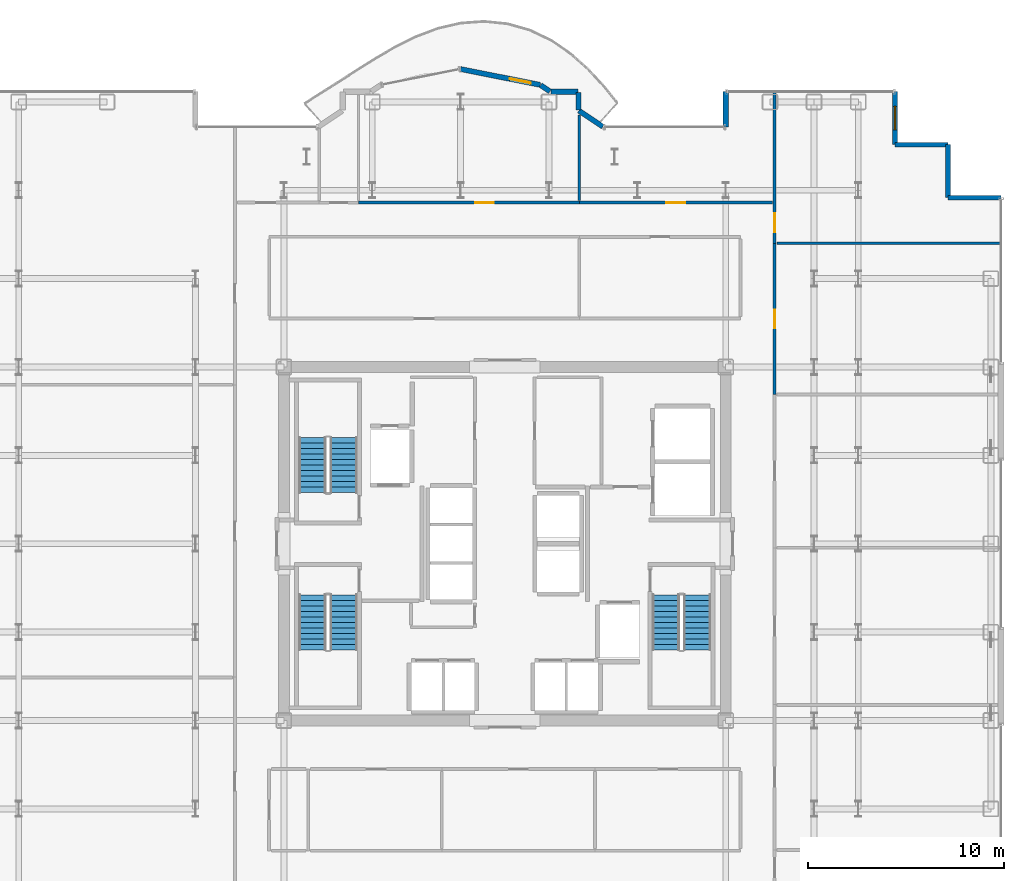
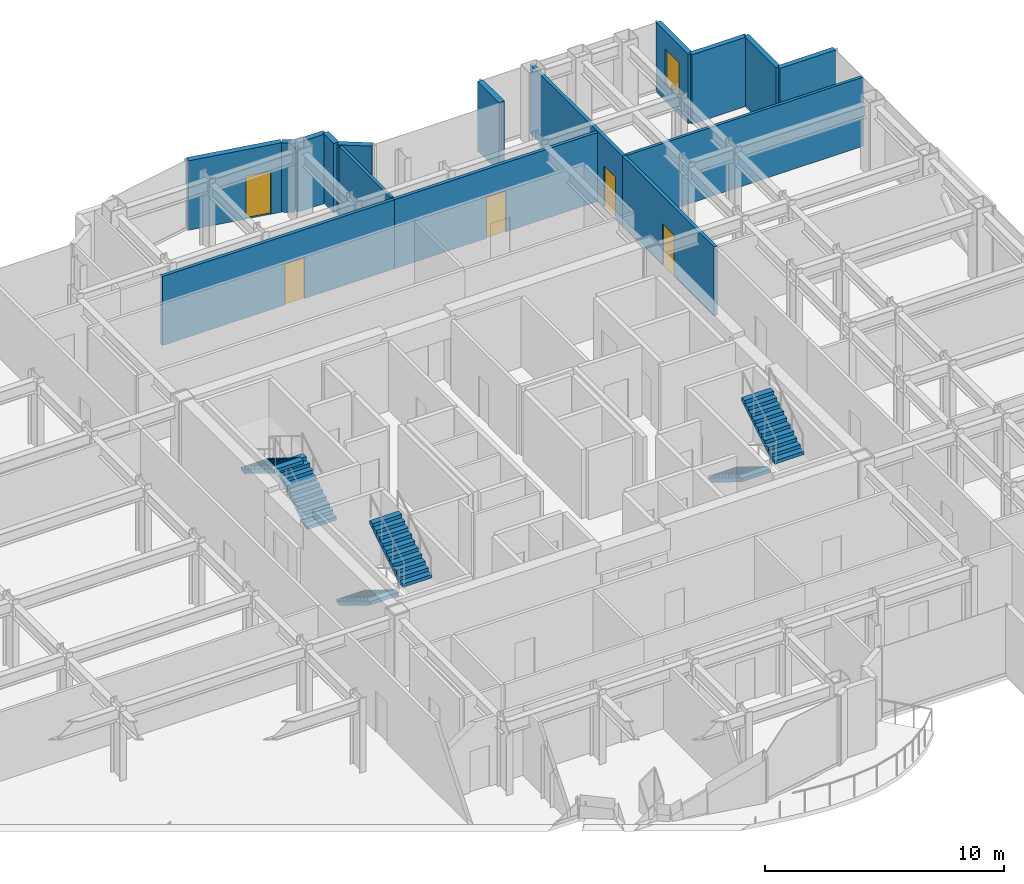
# One storey, part 23 of 25: 16 walls, 6 stair flights, 5 doors, 1 window, 6 openings, 3 elements without a shape of their own.
"""IFC4 building model written with IfcOpenShell, lengths in metres."""

from ifc_helpers import new_model, si_unit, direction, frame, frame_2d, origin, place, context, subcontext, project, spatial, polyline, rectangle, outline, extrude, source, transform, mapped, material, layer, layer_set, type_object, element, fill, aggregate, save


model = new_model("IFC4")

# Units and contexts
model_context = context("Model", 3, precision=1e-05, world=origin(), true_north=direction((0.0, 1.0)))
body_context = subcontext(model_context, "Body", "Model", "MODEL_VIEW")
ifc_project = project(units=[si_unit("LENGTHUNIT", "METRE"), si_unit("AREAUNIT", "SQUARE_METRE"), si_unit("VOLUMEUNIT", "CUBIC_METRE"), si_unit("PLANEANGLEUNIT", "RADIAN"), si_unit("MASSUNIT", "GRAM", prefix="KILO")], contexts=[model_context])

# Site, building, storey
site_placement = place(None, origin())
site = spatial("IfcSite", under=ifc_project, at=site_placement, CompositionType="ELEMENT")
building_placement = place(site_placement, origin())
building = spatial("IfcBuilding", under=site, at=building_placement, Name="Nefas-Gora Pilgrimage Tower", CompositionType="ELEMENT")
storey_placement = place(building_placement, frame((0.0, 0.0, 194.39990234375)))
storey = spatial("IfcBuildingStorey", under=building, at=storey_placement, Name="L48", CompositionType="ELEMENT", Elevation=194.39990234375)

# Walls
ifc_material_1 = material(Name="Precast concrete C40/50", Category="concrete")
ifc_layer_1 = layer(ifc_material_1, 0.260009765625)
ifc_layer_set_1 = layer_set([ifc_layer_1], Name="Precast concrete C40/50")
wall_type_1 = type_object("IfcWallType", Name="EW-PORTAL-260", PredefinedType="SOLIDWALL", material=ifc_layer_set_1)
shared_shape_1 = source(origin(), body_context, "Body", "SweptSolid", [
    extrude(rectangle(XDim=1.800048828125, YDim=0.260009765625, at=frame_2d((0.89990234375, 0.0))), origin(), (0.0, 0.0, 1.0), 3.550048828125),
])
wall_1_placement = place(storey_placement, frame((11.25, 23.02001953125, 0.0), z_axis=(0.0, 0.0, 1.0), x_axis=(0.0, -1.0, 0.0)))
element("IfcWall", 1, at=wall_1_placement, inside=storey, type_object=wall_type_1, Name="L48 Lobe Shoulder Precast Spandrel Pier 14", PredefinedType="SOLIDWALL", context=body_context, shape_type="MappedRepresentation", body=[
    mapped(shared_shape_1, transform((0.0, 0.0, 0.0), x_axis=(1.0, 0.0, 0.0), y_axis=(0.0, 1.0, 0.0), z_axis=(0.0, 0.0, 1.0), scale=1.0)),
])
ifc_material_2 = material(Name="Precast concrete C45/55", Category="concrete")
ifc_layer_2 = layer(ifc_material_2, 0.239990234375)
ifc_layer_set_2 = layer_set([ifc_layer_2], Name="Precast concrete C45/55")
wall_type_2 = type_object("IfcWallType", Name="EW-SERR-240", PredefinedType="SHEAR", material=ifc_layer_set_2)
shared_shape_2 = source(origin(), body_context, "Body", "SweptSolid", [
    extrude(rectangle(XDim=2.699951171875, YDim=0.239990234375, at=frame_2d((1.35009765625, 0.0))), origin(), (0.0, 0.0, 1.0), 3.550048828125),
])
for number, where, z_axis, x_axis, name in (
    (2, (25.27001953125, 17.6201171875, 0.0), (0.0, 0.0, 1.0), (-1.0, 0.0, 0.0), "L48 Serrated Corner Shear Pier Wall 10"),
    (3, (22.570068359375, 17.6201171875, 0.0), (0.0, 0.0, 1.0), (0.0, 1.0, 0.0), "L48 Serrated Corner Shear Pier Wall 11"),
    (4, (22.570068359375, 20.320068359375, 0.0), (0.0, 0.0, 1.0), (-1.0, 0.0, 0.0), "L48 Serrated Corner Shear Pier Wall 12"),
):
    element("IfcWall", number, at=place(storey_placement, frame(where, z_axis=z_axis, x_axis=x_axis)), inside=storey, type_object=wall_type_2, Name=name, PredefinedType="SHEAR", context=body_context, shape_type="MappedRepresentation", body=[
        mapped(shared_shape_2, transform((0.0, 0.0, 0.0), x_axis=(1.0, 0.0, 0.0), y_axis=(0.0, 1.0, 0.0), z_axis=(0.0, 0.0, 1.0), scale=1.0)),
    ])

# Wall, opening, window
wall_2_placement = place(storey_placement, frame((19.8701171875, 20.320068359375, 0.0), z_axis=(0.0, 0.0, 1.0), x_axis=(0.0, 1.0, 0.0)))
wall_2 = element("IfcWall", 5, at=wall_2_placement, inside=storey, type_object=wall_type_2, Name="L48 Serrated Corner Shear Pier Wall 13", PredefinedType="SHEAR", context=body_context, shape_type="MappedRepresentation", body=[
    mapped(shared_shape_2, transform((0.0, 0.0, 0.0), x_axis=(1.0, 0.0, 0.0), y_axis=(0.0, 1.0, 0.0), z_axis=(0.0, 0.0, 1.0), scale=1.0)),
])
opening_1_placement = place(wall_2_placement, frame((0.75, 0.0, 0.85009765625)))
opening_1 = element("IfcOpeningElement", 6, at=opening_1_placement, cuts=wall_2, Name="Opening W-V1", PredefinedType="OPENING", context=body_context, shape_type="SweptSolid", body=[
    extrude(rectangle(XDim=1.199951171875, YDim=1.800048828125, at=frame_2d((0.60009765625, 0.89990234375))), frame((0.0, 0.1298828125, 0.0), z_axis=(0.0, -1.0, 0.0), x_axis=(1.0, 0.0, 0.0)), (0.0, 0.0, 1.0), 0.260009765625),
])
ifc_material_3 = material(Name="Dark ceramic-fritted operable aluminium-glass window", Category="aluminium")
window_type = type_object("IfcWindowType", Name="WIN-VENT-1200x1800", PartitioningType="SINGLE_PANEL", PredefinedType="WINDOW", material=ifc_material_3)
shared_shape_3 = source(origin(), body_context, "Body", "SweptSolid", [
    extrude(rectangle(XDim=1.199951171875, YDim=1.800048828125, at=frame_2d((0.60009765625, 0.89990234375))), frame((0.0, 0.030029296875, 0.0), z_axis=(0.0, -1.0, 0.0), x_axis=(1.0, 0.0, 0.0)), (0.0, 0.0, 1.0), 0.06005859375),
])
window_placement = place(opening_1_placement, origin())
window = element("IfcWindow", 7, at=window_placement, inside=storey, type_object=window_type, Name="L48 Operable Parallel-Outswing Window 13", OverallHeight=1.800048828125, OverallWidth=1.199951171875, PartitioningType="SINGLE_PANEL", PredefinedType="WINDOW", context=body_context, shape_type="MappedRepresentation", body=[
    mapped(shared_shape_3, transform((0.0, 0.0, 0.0), x_axis=(1.0, 0.0, 0.0), y_axis=(0.0, 1.0, 0.0), z_axis=(0.0, 0.0, 1.0), scale=1.0)),
])
fill(opening_1, window)

# Walls
shared_shape_4 = source(origin(), body_context, "Body", "SweptSolid", [
    extrude(rectangle(XDim=1.468994140625, YDim=0.260009765625, at=frame_2d((0.734375, 0.0))), origin(), (0.0, 0.0, 1.0), 3.550048828125),
])
wall_3_placement = place(storey_placement, frame((4.99462890625, 21.235595703125, 0.0), z_axis=(0.0, 0.0, 1.0), x_axis=(-0.831461760506, 0.555581983884, 0.0)))
element("IfcWall", 8, at=wall_3_placement, inside=storey, type_object=wall_type_1, Name="L48 Lobe Shoulder Precast Spandrel Pier 15", PredefinedType="SOLIDWALL", context=body_context, shape_type="MappedRepresentation", body=[
    mapped(shared_shape_4, transform((0.0, 0.0, 0.0), x_axis=(1.0, 0.0, 0.0), y_axis=(0.0, 1.0, 0.0), z_axis=(0.0, 0.0, 1.0), scale=1.0)),
])
shared_shape_5 = source(origin(), body_context, "Body", "SweptSolid", [
    extrude(rectangle(XDim=0.896728515625, YDim=0.260009765625, at=frame_2d((0.4482421875, 0.0))), origin(), (0.0, 0.0, 1.0), 3.550048828125),
])
wall_4_placement = place(storey_placement, frame((3.75, 22.09521484375, 0.0), z_axis=(0.0, 0.0, 1.0), x_axis=(0.0, 1.0, 0.0)))
element("IfcWall", 9, at=wall_4_placement, inside=storey, type_object=wall_type_1, Name="L48 Lobe Shoulder Precast Spandrel Pier 16", PredefinedType="SOLIDWALL", context=body_context, shape_type="MappedRepresentation", body=[
    mapped(shared_shape_5, transform((0.0, 0.0, 0.0), x_axis=(1.0, 0.0, 0.0), y_axis=(0.0, 1.0, 0.0), z_axis=(0.0, 0.0, 1.0), scale=1.0)),
])
shared_shape_6 = source(origin(), body_context, "Body", "SweptSolid", [
    extrude(rectangle(XDim=1.369873046875, YDim=0.260009765625, at=frame_2d((0.68505859375, 0.0))), origin(), (0.0, 0.0, 1.0), 3.550048828125),
])
wall_5_placement = place(storey_placement, frame((3.721923828125, 23.02001953125, 0.0), z_axis=(0.0, 0.0, 1.0), x_axis=(-1.0, 0.0, 0.0)))
element("IfcWall", 10, at=wall_5_placement, inside=storey, type_object=wall_type_1, Name="L48 Lobe Shoulder Precast Spandrel Pier 17", PredefinedType="SOLIDWALL", context=body_context, shape_type="MappedRepresentation", body=[
    mapped(shared_shape_6, transform((0.0, 0.0, 0.0), x_axis=(1.0, 0.0, 0.0), y_axis=(0.0, 1.0, 0.0), z_axis=(0.0, 0.0, 1.0), scale=1.0)),
])
shared_shape_7 = source(origin(), body_context, "Body", "SweptSolid", [
    extrude(rectangle(XDim=0.5654296875, YDim=0.260009765625, at=frame_2d((0.28271484375, 0.0))), origin(), (0.0, 0.0, 1.0), 3.550048828125),
])
wall_6_placement = place(storey_placement, frame((2.30078125, 23.03564453125, 0.0), z_axis=(0.0, 0.0, 1.0), x_axis=(-0.831651492666, 0.555297933317, 0.0)))
element("IfcWall", 11, at=wall_6_placement, inside=storey, type_object=wall_type_1, Name="L48 Lobe Shoulder Precast Spandrel Pier 18", PredefinedType="SOLIDWALL", context=body_context, shape_type="MappedRepresentation", body=[
    mapped(shared_shape_7, transform((0.0, 0.0, 0.0), x_axis=(1.0, 0.0, 0.0), y_axis=(0.0, 1.0, 0.0), z_axis=(0.0, 0.0, 1.0), scale=1.0)),
])

# Wall, opening, door
shared_shape_8 = source(origin(), body_context, "Body", "SweptSolid", [
    extrude(rectangle(XDim=4.136962890625, YDim=0.260009765625, at=frame_2d((2.068359375, 0.0))), origin(), (0.0, 0.0, 1.0), 3.550048828125),
])
wall_7_placement = place(storey_placement, frame((1.807373046875, 23.365234375, 0.0), z_axis=(0.0, 0.0, 1.0), x_axis=(-0.980782170794, 0.195105954428, 0.0)))
wall_7 = element("IfcWall", 12, at=wall_7_placement, inside=storey, type_object=wall_type_1, Name="L48 Insulated Terrace Portal Wall 19", PredefinedType="SOLIDWALL", context=body_context, shape_type="MappedRepresentation", body=[
    mapped(shared_shape_8, transform((0.0, 0.0, 0.0), x_axis=(1.0, 0.0, 0.0), y_axis=(0.0, 1.0, 0.0), z_axis=(0.0, 0.0, 1.0), scale=1.0)),
])
opening_2_placement = place(wall_7_placement, frame((0.48779296875, 0.0, 0.0)))
opening_2 = element("IfcOpeningElement", 13, at=opening_2_placement, cuts=wall_7, Name="Opening ED-B1", PredefinedType="OPENING", context=body_context, shape_type="SweptSolid", body=[
    extrude(rectangle(XDim=1.10009765625, YDim=2.199951171875, at=frame_2d((0.550048828125, 1.10009765625))), frame((0.0, 0.139892578125, 0.0), z_axis=(0.0, -1.0, 0.0), x_axis=(1.0, 0.0, 0.0)), (0.0, 0.0, 1.0), 0.280029296875),
])
ifc_material_4 = material(Name="Thermally broken glazed aluminium balcony door", Category="aluminium")
door_type_1 = type_object("IfcDoorType", Name="DR-EXT-BAL-1100", OperationType="NOTDEFINED", PredefinedType="DOOR", material=ifc_material_4)
shared_shape_9 = source(origin(), body_context, "Body", "SweptSolid", [
    extrude(rectangle(XDim=1.10009765625, YDim=2.199951171875, at=frame_2d((0.550048828125, 1.10009765625))), frame((0.0, 0.02490234375, 0.0), z_axis=(0.0, -1.0, 0.0), x_axis=(1.0, 0.0, 0.0)), (0.0, 0.0, 1.0), 0.050048828125),
])
door_1_placement = place(opening_2_placement, origin())
door_1 = element("IfcDoor", 14, at=door_1_placement, inside=storey, type_object=door_type_1, Name="L48 Exterior Door (L48 N Lobe Wave Balcony)", OperationType="SINGLE_SWING_RIGHT", OverallHeight=2.199951171875, OverallWidth=1.10009765625, PredefinedType="DOOR", context=body_context, shape_type="MappedRepresentation", body=[
    mapped(shared_shape_9, transform((0.0, 0.0, 0.0), x_axis=(1.0, 0.0, 0.0), y_axis=(0.0, 1.0, 0.0), z_axis=(0.0, 0.0, 1.0), scale=1.0)),
])
fill(opening_2, door_1)

# Wall
ifc_material_5 = material(Name="Gypsum twin-stud partition")
ifc_layer_3 = layer(ifc_material_5, 0.139892578125)
ifc_layer_set_3 = layer_set([ifc_layer_3], Name="Gypsum twin-stud partition")
wall_type_3 = type_object("IfcWallType", Name="IW-UNIT-140", PredefinedType="PARTITIONING", material=ifc_layer_set_3)
shared_shape_10 = source(origin(), body_context, "Body", "SweptSolid", [
    extrude(rectangle(XDim=11.429931640625, YDim=0.139892578125, at=frame_2d((5.71484375, 0.0))), origin(), (0.0, 0.0, 1.0), 3.53515625),
])
wall_8_placement = place(storey_placement, frame((13.860107421875, 15.297607421875, 0.0), z_axis=(0.0, 0.0, 1.0), x_axis=(1.0, 0.0, 0.0)))
element("IfcWall", 15, at=wall_8_placement, inside=storey, type_object=wall_type_3, Name="L48 Pilgrim Contemplative Lounge Partition Wall 42", PredefinedType="PARTITIONING", context=body_context, shape_type="MappedRepresentation", body=[
    mapped(shared_shape_10, transform((0.0, 0.0, 0.0), x_axis=(1.0, 0.0, 0.0), y_axis=(0.0, 1.0, 0.0), z_axis=(0.0, 0.0, 1.0), scale=1.0)),
])

# Wall, opening, door
ifc_material_6 = material(Name="Gypsum acoustic stud partition")
ifc_layer_4 = layer(ifc_material_6, 0.159912109375)
ifc_layer_set_4 = layer_set([ifc_layer_4], Name="Gypsum acoustic stud partition")
wall_type_4 = type_object("IfcWallType", Name="IW-CORR-160", PredefinedType="PARTITIONING", material=ifc_layer_set_4)
shared_shape_11 = source(origin(), body_context, "Body", "SweptSolid", [
    extrude(rectangle(XDim=7.75244140625, YDim=0.159912109375, at=frame_2d((3.876220703125, 0.0))), origin(), (0.0, 0.0, 1.0), 3.53515625),
])
wall_9_placement = place(storey_placement, frame((13.739990234375, 15.28759765625, 0.0), z_axis=(0.0, 0.0, 1.0), x_axis=(0.0, 1.0, 0.0)))
wall_9 = element("IfcWall", 16, at=wall_9_placement, inside=storey, type_object=wall_type_4, Name="L48 Pilgrim Contemplative Lounge Partition Wall 41", PredefinedType="PARTITIONING", context=body_context, shape_type="MappedRepresentation", body=[
    mapped(shared_shape_11, transform((0.0, 0.0, 0.0), x_axis=(1.0, 0.0, 0.0), y_axis=(0.0, 1.0, 0.0), z_axis=(0.0, 0.0, 1.0), scale=1.0)),
])
opening_3_placement = place(wall_9_placement, frame((0.586181640625, 0.0, 0.0)))
opening_3 = element("IfcOpeningElement", 17, at=opening_3_placement, cuts=wall_9, Name="Opening ID-GR1", PredefinedType="OPENING", context=body_context, shape_type="SweptSolid", body=[
    extrude(rectangle(XDim=0.949951171875, YDim=2.10009765625, at=frame_2d((0.47509765625, 1.050048828125))), frame((0.0, 0.08984375, 0.0), z_axis=(0.0, -1.0, 0.0), x_axis=(1.0, 0.0, 0.0)), (0.0, 0.0, 1.0), 0.179931640625),
])
ifc_material_7 = material(Name="Solid core oak fire-rated guest entrance door")
door_type_2 = type_object("IfcDoorType", Name="DR-INT-GUEST-950", OperationType="NOTDEFINED", PredefinedType="DOOR", material=ifc_material_7)
shared_shape_12 = source(origin(), body_context, "Body", "SweptSolid", [
    extrude(rectangle(XDim=0.949951171875, YDim=2.10009765625, at=frame_2d((0.47509765625, 1.050048828125))), frame((0.0, 0.02490234375, 0.0), z_axis=(0.0, -1.0, 0.0), x_axis=(1.0, 0.0, 0.0)), (0.0, 0.0, 1.0), 0.050048828125),
])
door_2_placement = place(opening_3_placement, origin())
door_2 = element("IfcDoor", 18, at=door_2_placement, inside=storey, type_object=door_type_2, Name="L48 Pilgrim Contemplative Lounge Door 18", OperationType="SINGLE_SWING_LEFT", OverallHeight=2.10009765625, OverallWidth=0.949951171875, PredefinedType="DOOR", context=body_context, shape_type="MappedRepresentation", body=[
    mapped(shared_shape_12, transform((0.0, 0.0, 0.0), x_axis=(1.0, 0.0, 0.0), y_axis=(0.0, 1.0, 0.0), z_axis=(0.0, 0.0, 1.0), scale=1.0)),
])
fill(opening_3, door_2)

shared_shape_13 = source(origin(), body_context, "Body", "SweptSolid", [
    extrude(rectangle(XDim=7.692626953125, YDim=0.159912109375, at=frame_2d((3.84619140625, 0.0))), origin(), (0.0, 0.0, 1.0), 3.53515625),
])
wall_10_placement = place(storey_placement, frame((13.739990234375, 7.594970703125, 0.0), z_axis=(0.0, 0.0, 1.0), x_axis=(0.0, 1.0, 0.0)))
wall_10 = element("IfcWall", 19, at=wall_10_placement, inside=storey, type_object=wall_type_4, Name="L48 Pilgrim Contemplative Lounge Partition Wall 43", PredefinedType="PARTITIONING", context=body_context, shape_type="MappedRepresentation", body=[
    mapped(shared_shape_13, transform((0.0, 0.0, 0.0), x_axis=(1.0, 0.0, 0.0), y_axis=(0.0, 1.0, 0.0), z_axis=(0.0, 0.0, 1.0), scale=1.0)),
])
opening_4_placement = place(wall_10_placement, frame((3.37109375, 0.0, 0.0)))
opening_4 = element("IfcOpeningElement", 20, at=opening_4_placement, cuts=wall_10, Name="Opening ID-GR1", PredefinedType="OPENING", context=body_context, shape_type="SweptSolid", body=[
    extrude(rectangle(XDim=0.949951171875, YDim=2.10009765625, at=frame_2d((0.47509765625, 1.050048828125))), frame((0.0, 0.08984375, 0.0), z_axis=(0.0, -1.0, 0.0), x_axis=(1.0, 0.0, 0.0)), (0.0, 0.0, 1.0), 0.179931640625),
])
door_3_placement = place(opening_4_placement, origin())
door_3 = element("IfcDoor", 21, at=door_3_placement, inside=storey, type_object=door_type_2, Name="L48 Pilgrim Contemplative Lounge Door 19", OperationType="SINGLE_SWING_RIGHT", OverallHeight=2.10009765625, OverallWidth=0.949951171875, PredefinedType="DOOR", context=body_context, shape_type="MappedRepresentation", body=[
    mapped(shared_shape_12, transform((0.0, 0.0, 0.0), x_axis=(1.0, 0.0, 0.0), y_axis=(0.0, 1.0, 0.0), z_axis=(0.0, 0.0, 1.0), scale=1.0)),
])
fill(opening_4, door_3)

shared_shape_14 = source(origin(), body_context, "Body", "SweptSolid", [
    extrude(rectangle(XDim=11.244873046875, YDim=0.159912109375, at=frame_2d((5.62255859375, 0.0))), origin(), (0.0, 0.0, 1.0), 3.53515625),
])
wall_11_placement = place(storey_placement, frame((-7.43994140625, 17.3701171875, 0.0), z_axis=(0.0, 0.0, 1.0), x_axis=(1.0, 0.0, 0.0)))
wall_11 = element("IfcWall", 22, at=wall_11_placement, inside=storey, type_object=wall_type_4, Name="L48 Pilgrim Contemplative Lounge Partition Wall 48", PredefinedType="PARTITIONING", context=body_context, shape_type="MappedRepresentation", body=[
    mapped(shared_shape_14, transform((0.0, 0.0, 0.0), x_axis=(1.0, 0.0, 0.0), y_axis=(0.0, 1.0, 0.0), z_axis=(0.0, 0.0, 1.0), scale=1.0)),
])
opening_5_placement = place(wall_11_placement, frame((5.92626953125, 0.0, 0.0)))
opening_5 = element("IfcOpeningElement", 23, at=opening_5_placement, cuts=wall_11, Name="Opening ID-GR1", PredefinedType="OPENING", context=body_context, shape_type="SweptSolid", body=[
    extrude(rectangle(XDim=0.949951171875, YDim=2.10009765625, at=frame_2d((0.47509765625, 1.050048828125))), frame((0.0, 0.08984375, 0.0), z_axis=(0.0, -1.0, 0.0), x_axis=(1.0, 0.0, 0.0)), (0.0, 0.0, 1.0), 0.179931640625),
])
door_4_placement = place(opening_5_placement, origin())
door_4 = element("IfcDoor", 24, at=door_4_placement, inside=storey, type_object=door_type_2, Name="L48 Pilgrim Contemplative Lounge Door 21", OperationType="SINGLE_SWING_RIGHT", OverallHeight=2.10009765625, OverallWidth=0.949951171875, PredefinedType="DOOR", context=body_context, shape_type="MappedRepresentation", body=[
    mapped(shared_shape_12, transform((0.0, 0.0, 0.0), x_axis=(1.0, 0.0, 0.0), y_axis=(0.0, 1.0, 0.0), z_axis=(0.0, 0.0, 1.0), scale=1.0)),
])
fill(opening_5, door_4)

# Wall
shared_shape_15 = source(origin(), body_context, "Body", "SweptSolid", [
    extrude(rectangle(XDim=4.34521484375, YDim=0.139892578125, at=frame_2d((2.172607421875, 0.0))), origin(), (0.0, 0.0, 1.0), 3.53515625),
])
wall_12_placement = place(storey_placement, frame((3.794921875, 17.489990234375, 0.0), z_axis=(0.0, 0.0, 1.0), x_axis=(0.0, 1.0, 0.0)))
element("IfcWall", 25, at=wall_12_placement, inside=storey, type_object=wall_type_3, Name="L48 Pilgrim Contemplative Lounge Partition Wall 49", PredefinedType="PARTITIONING", context=body_context, shape_type="MappedRepresentation", body=[
    mapped(shared_shape_15, transform((0.0, 0.0, 0.0), x_axis=(1.0, 0.0, 0.0), y_axis=(0.0, 1.0, 0.0), z_axis=(0.0, 0.0, 1.0), scale=1.0)),
])

# Wall, opening, door
shared_shape_16 = source(origin(), body_context, "Body", "SweptSolid", [
    extrude(rectangle(XDim=9.8251953125, YDim=0.159912109375, at=frame_2d((4.91259765625, 0.0))), origin(), (0.0, 0.0, 1.0), 3.53515625),
])
wall_13_placement = place(storey_placement, frame((3.794921875, 17.3701171875, 0.0), z_axis=(0.0, 0.0, 1.0), x_axis=(1.0, 0.0, 0.0)))
wall_13 = element("IfcWall", 26, at=wall_13_placement, inside=storey, type_object=wall_type_4, Name="L48 Pilgrim Contemplative Lounge Partition Wall 51", PredefinedType="PARTITIONING", context=body_context, shape_type="MappedRepresentation", body=[
    mapped(shared_shape_16, transform((0.0, 0.0, 0.0), x_axis=(1.0, 0.0, 0.0), y_axis=(0.0, 1.0, 0.0), z_axis=(0.0, 0.0, 1.0), scale=1.0)),
])
opening_6_placement = place(wall_13_placement, frame((4.4375, 0.0, 0.0)))
opening_6 = element("IfcOpeningElement", 27, at=opening_6_placement, cuts=wall_13, Name="Opening ID-GR1", PredefinedType="OPENING", context=body_context, shape_type="SweptSolid", body=[
    extrude(rectangle(XDim=0.949951171875, YDim=2.10009765625, at=frame_2d((0.47509765625, 1.050048828125))), frame((0.0, 0.08984375, 0.0), z_axis=(0.0, -1.0, 0.0), x_axis=(1.0, 0.0, 0.0)), (0.0, 0.0, 1.0), 0.179931640625),
])
door_5_placement = place(opening_6_placement, origin())
door_5 = element("IfcDoor", 28, at=door_5_placement, inside=storey, type_object=door_type_2, Name="L48 Pilgrim Contemplative Lounge Door 23", OperationType="SINGLE_SWING_RIGHT", OverallHeight=2.10009765625, OverallWidth=0.949951171875, PredefinedType="DOOR", context=body_context, shape_type="MappedRepresentation", body=[
    mapped(shared_shape_12, transform((0.0, 0.0, 0.0), x_axis=(1.0, 0.0, 0.0), y_axis=(0.0, 1.0, 0.0), z_axis=(0.0, 0.0, 1.0), scale=1.0)),
])
fill(opening_6, door_5)

# Stair, stair flights
ifc_material_8 = material(Name="Concrete C45/55", Category="concrete")
stair_type = type_object("IfcStairType", Name="STR-1400-R1727", PredefinedType="HALF_TURN_STAIR", material=ifc_material_8)
stair_1_placement = place(storey_placement, origin())
stair_1 = element("IfcStair", 29, at=stair_1_placement, inside=storey, type_object=stair_type, Name="L48 Pressurised Tower Exit Stair ST-01", PredefinedType="HALF_TURN_STAIR")
stair_flight_type = type_object("IfcStairFlightType", Name="STF-1400-R1727", PredefinedType="STRAIGHT", material=ifc_material_8)
shared_shape_17 = source(origin(), body_context, "Body", "SweptSolid", [
    extrude(outline(polyline([(0.0, 0.0), (0.0, 0.172607421875), (0.280029296875, 0.172607421875), (0.280029296875, 0.345458984375), (0.56005859375, 0.345458984375), (0.56005859375, 0.51806640625), (0.840087890625, 0.51806640625), (0.840087890625, 0.69091796875), (1.1201171875, 0.69091796875), (1.1201171875, 0.863525390625), (1.39990234375, 0.863525390625), (1.39990234375, 1.036376953125), (1.679931640625, 1.036376953125), (1.679931640625, 1.208984375), (1.9599609375, 1.208984375), (1.9599609375, 1.3818359375), (2.239990234375, 1.3818359375), (2.239990234375, 1.554443359375), (2.52001953125, 1.554443359375), (2.52001953125, 1.727294921875), (2.800048828125, 1.727294921875), (2.800048828125, 1.89990234375), (2.800048828125, 1.551025390625), (0.285400390625, 0.0), (0.0, 0.0)])), frame((0.0, 0.699951171875, 0.0), z_axis=(0.0, -1.0, 0.0), x_axis=(1.0, 0.0, 0.0)), (0.0, 0.0, 1.0), 1.39990234375),
])
stair_flight_1_placement = place(storey_placement, frame((-8.199951171875, 2.60009765625, 0.0), z_axis=(0.0, 0.0, 1.0), x_axis=(0.0, 1.0, 0.0)))
stair_flight_1 = element("IfcStairFlight", 30, at=stair_flight_1_placement, type_object=stair_flight_type, Name="ST-01 flight 1", NumberOfRisers=11, NumberOfTreads=10, PredefinedType="STRAIGHT", RiserHeight=0.172727273, TreadLength=0.28, context=body_context, shape_type="MappedRepresentation", body=[
    mapped(shared_shape_17, transform((0.0, 0.0, 0.0), x_axis=(1.0, 0.0, 0.0), y_axis=(0.0, 1.0, 0.0), z_axis=(0.0, 0.0, 1.0), scale=1.0)),
])
stair_flight_2_placement = place(storey_placement, frame((-9.800048828125, 5.39990234375, 1.900146484375), z_axis=(0.0, 0.0, 1.0), x_axis=(0.0, -1.0, 0.0)))
stair_flight_2 = element("IfcStairFlight", 31, at=stair_flight_2_placement, type_object=stair_flight_type, Name="ST-01 flight 2", NumberOfRisers=11, NumberOfTreads=10, PredefinedType="STRAIGHT", RiserHeight=0.172727273, TreadLength=0.28, context=body_context, shape_type="MappedRepresentation", body=[
    mapped(shared_shape_17, transform((0.0, 0.0, 0.0), x_axis=(1.0, 0.0, 0.0), y_axis=(0.0, 1.0, 0.0), z_axis=(0.0, 0.0, 1.0), scale=1.0)),
])
aggregate(stair_1, [stair_flight_1, stair_flight_2])

stair_2_placement = place(storey_placement, origin())
stair_2 = element("IfcStair", 32, at=stair_2_placement, inside=storey, type_object=stair_type, Name="L48 Pressurised Tower Exit Stair ST-02", PredefinedType="HALF_TURN_STAIR")
stair_flight_3_placement = place(storey_placement, frame((8.199951171875, -2.60009765625, 0.0), z_axis=(0.0, 0.0, 1.0), x_axis=(0.0, -1.0, 0.0)))
stair_flight_3 = element("IfcStairFlight", 33, at=stair_flight_3_placement, type_object=stair_flight_type, Name="ST-02 flight 1", NumberOfRisers=11, NumberOfTreads=10, PredefinedType="STRAIGHT", RiserHeight=0.172727273, TreadLength=0.28, context=body_context, shape_type="MappedRepresentation", body=[
    mapped(shared_shape_17, transform((0.0, 0.0, 0.0), x_axis=(1.0, 0.0, 0.0), y_axis=(0.0, 1.0, 0.0), z_axis=(0.0, 0.0, 1.0), scale=1.0)),
])
stair_flight_4_placement = place(storey_placement, frame((9.800048828125, -5.39990234375, 1.900146484375), z_axis=(0.0, 0.0, 1.0), x_axis=(0.0, 1.0, 0.0)))
stair_flight_4 = element("IfcStairFlight", 34, at=stair_flight_4_placement, type_object=stair_flight_type, Name="ST-02 flight 2", NumberOfRisers=11, NumberOfTreads=10, PredefinedType="STRAIGHT", RiserHeight=0.172727273, TreadLength=0.28, context=body_context, shape_type="MappedRepresentation", body=[
    mapped(shared_shape_17, transform((0.0, 0.0, 0.0), x_axis=(1.0, 0.0, 0.0), y_axis=(0.0, 1.0, 0.0), z_axis=(0.0, 0.0, 1.0), scale=1.0)),
])
aggregate(stair_2, [stair_flight_3, stair_flight_4])

stair_3_placement = place(storey_placement, origin())
stair_3 = element("IfcStair", 35, at=stair_3_placement, inside=storey, type_object=stair_type, Name="L48 Pressurised Tower Exit Stair ST-03", PredefinedType="HALF_TURN_STAIR")
stair_flight_5_placement = place(storey_placement, frame((-9.800048828125, -2.60009765625, 0.0), z_axis=(0.0, 0.0, 1.0), x_axis=(0.0, -1.0, 0.0)))
stair_flight_5 = element("IfcStairFlight", 36, at=stair_flight_5_placement, type_object=stair_flight_type, Name="ST-03 flight 1", NumberOfRisers=11, NumberOfTreads=10, PredefinedType="STRAIGHT", RiserHeight=0.172727273, TreadLength=0.28, context=body_context, shape_type="MappedRepresentation", body=[
    mapped(shared_shape_17, transform((0.0, 0.0, 0.0), x_axis=(1.0, 0.0, 0.0), y_axis=(0.0, 1.0, 0.0), z_axis=(0.0, 0.0, 1.0), scale=1.0)),
])
stair_flight_6_placement = place(storey_placement, frame((-8.199951171875, -5.39990234375, 1.900146484375), z_axis=(0.0, 0.0, 1.0), x_axis=(0.0, 1.0, 0.0)))
stair_flight_6 = element("IfcStairFlight", 37, at=stair_flight_6_placement, type_object=stair_flight_type, Name="ST-03 flight 2", NumberOfRisers=11, NumberOfTreads=10, PredefinedType="STRAIGHT", RiserHeight=0.172727273, TreadLength=0.28, context=body_context, shape_type="MappedRepresentation", body=[
    mapped(shared_shape_17, transform((0.0, 0.0, 0.0), x_axis=(1.0, 0.0, 0.0), y_axis=(0.0, 1.0, 0.0), z_axis=(0.0, 0.0, 1.0), scale=1.0)),
])
aggregate(stair_3, [stair_flight_5, stair_flight_6])

save(model, "model.ifc")
